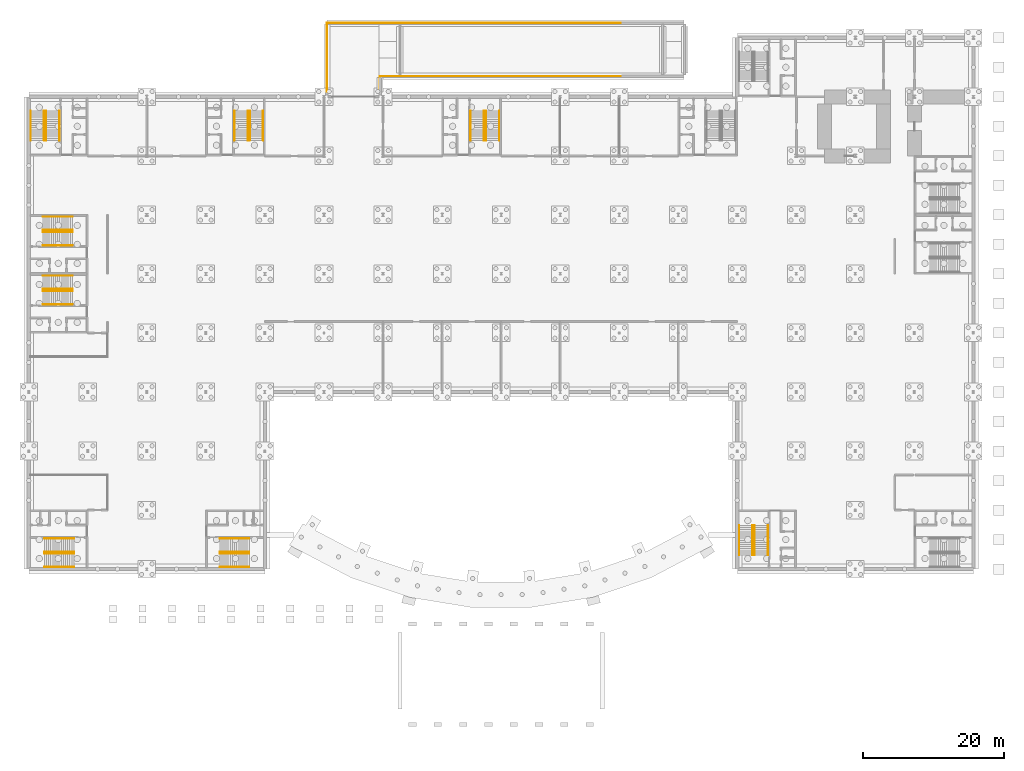
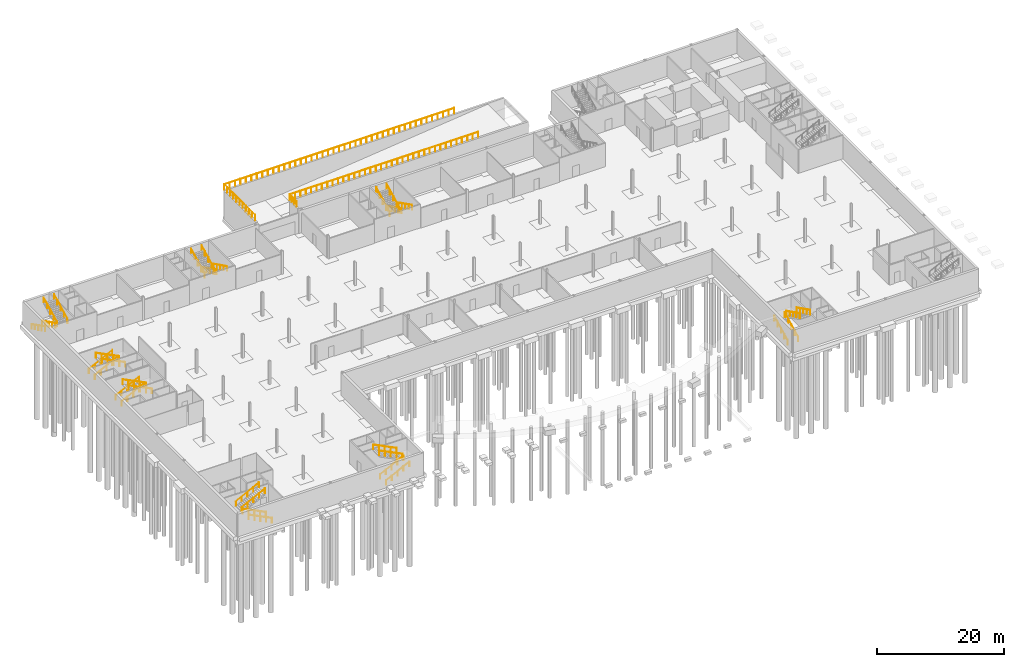
# One storey, part 34 of 35: 34 railings.
"""IFC4 building model written with IfcOpenShell, lengths in metres."""

from ifc_helpers import new_model, si_unit, direction, frame, origin, origin_2d, place, context, subcontext, project, spatial, circle, extrude, material, type_object, element, save


model = new_model("IFC4")

# Units and contexts
model_context = context("Model", 3, precision=1e-05, world=origin(), true_north=direction((0.0, 1.0)))
body_context = subcontext(model_context, "Body", "Model", "MODEL_VIEW")
ifc_project = project(units=[si_unit("LENGTHUNIT", "METRE"), si_unit("AREAUNIT", "SQUARE_METRE"), si_unit("VOLUMEUNIT", "CUBIC_METRE"), si_unit("PLANEANGLEUNIT", "RADIAN"), si_unit("MASSUNIT", "GRAM", prefix="KILO")], contexts=[model_context])

# Site, building, storey
site_placement = place(None, origin())
site = spatial("IfcSite", under=ifc_project, at=site_placement, CompositionType="ELEMENT")
building_placement = place(site_placement, origin())
building = spatial("IfcBuilding", under=site, at=building_placement, Name="Ardhachandra Cancer Care Centre", CompositionType="ELEMENT")
storey_placement = place(building_placement, frame((0.0, 0.0, -4.5)))
storey = spatial("IfcBuildingStorey", under=building, at=storey_placement, Name="B1", CompositionType="ELEMENT", Elevation=-4.5)

# Railings
ifc_material_1 = material(Name="Steel E250 (IS 2062)", Category="steel")
railing_type_1 = type_object("IfcRailingType", Name="Guard 1100", PredefinedType="GUARDRAIL", material=ifc_material_1)
railing_1_placement = place(storey_placement, frame((95.0, 99.52490234375, 4.5)))
element("IfcRailing", 1, at=railing_1_placement, inside=storey, type_object=railing_type_1, Name="Ramp guard south", PredefinedType="GUARDRAIL", context=body_context, shape_type="SweptSolid", body=[
    extrude(circle(Radius=0.02392578125, at=origin_2d()), frame((0.0, 0.0, 1.076171875), z_axis=(-1.0, 0.0, 0.0), x_axis=(0.0, -1.0, 0.0)), (0.0, 0.0, 1.0), 34.22509765625),
    extrude(circle(Radius=0.02392578125, at=origin_2d()), frame((-34.22509765625, 0.0, 1.076171875), z_axis=(0.0, -1.0, 0.0), x_axis=(1.0, 0.0, 0.0)), (0.0, 0.0, 1.0), 2.204833984375),
    extrude(circle(Radius=0.02099609375, at=origin_2d()), origin(), (0.0, 0.0, 1.0), 1.052001953125),
    extrude(circle(Radius=0.02099609375, at=origin_2d()), frame((-0.977783203125, 0.0, 0.0)), (0.0, 0.0, 1.0), 1.052001953125),
    extrude(circle(Radius=0.02099609375, at=origin_2d()), frame((-1.955810546875, 0.0, 0.0)), (0.0, 0.0, 1.0), 1.052001953125),
    extrude(circle(Radius=0.02099609375, at=origin_2d()), frame((-2.93359375, 0.0, 0.0)), (0.0, 0.0, 1.0), 1.052001953125),
    extrude(circle(Radius=0.02099609375, at=origin_2d()), frame((-3.911376953125, 0.0, 0.0)), (0.0, 0.0, 1.0), 1.052001953125),
    extrude(circle(Radius=0.02099609375, at=origin_2d()), frame((-4.889404296875, 0.0, 0.0)), (0.0, 0.0, 1.0), 1.052001953125),
    extrude(circle(Radius=0.02099609375, at=origin_2d()), frame((-5.8671875, 0.0, 0.0)), (0.0, 0.0, 1.0), 1.052001953125),
    extrude(circle(Radius=0.02099609375, at=origin_2d()), frame((-6.844970703125, 0.0, 0.0)), (0.0, 0.0, 1.0), 1.052001953125),
    extrude(circle(Radius=0.02099609375, at=origin_2d()), frame((-7.822998046875, 0.0, 0.0)), (0.0, 0.0, 1.0), 1.052001953125),
    extrude(circle(Radius=0.02099609375, at=origin_2d()), frame((-8.80078125, 0.0, 0.0)), (0.0, 0.0, 1.0), 1.052001953125),
    extrude(circle(Radius=0.02099609375, at=origin_2d()), frame((-9.778564453125, 0.0, 0.0)), (0.0, 0.0, 1.0), 1.052001953125),
    extrude(circle(Radius=0.02099609375, at=origin_2d()), frame((-10.75634765625, 0.0, 0.0)), (0.0, 0.0, 1.0), 1.052001953125),
    extrude(circle(Radius=0.02099609375, at=origin_2d()), frame((-11.734375, 0.0, 0.0)), (0.0, 0.0, 1.0), 1.052001953125),
    extrude(circle(Radius=0.02099609375, at=origin_2d()), frame((-12.712158203125, 0.0, 0.0)), (0.0, 0.0, 1.0), 1.052001953125),
    extrude(circle(Radius=0.02099609375, at=origin_2d()), frame((-13.68994140625, 0.0, 0.0)), (0.0, 0.0, 1.0), 1.052001953125),
    extrude(circle(Radius=0.02099609375, at=origin_2d()), frame((-14.66796875, 0.0, 0.0)), (0.0, 0.0, 1.0), 1.052001953125),
    extrude(circle(Radius=0.02099609375, at=origin_2d()), frame((-15.645751953125, 0.0, 0.0)), (0.0, 0.0, 1.0), 1.052001953125),
    extrude(circle(Radius=0.02099609375, at=origin_2d()), frame((-16.62353515625, 0.0, 0.0)), (0.0, 0.0, 1.0), 1.052001953125),
    extrude(circle(Radius=0.02099609375, at=origin_2d()), frame((-17.6015625, 0.0, 0.0)), (0.0, 0.0, 1.0), 1.052001953125),
    extrude(circle(Radius=0.02099609375, at=origin_2d()), frame((-18.579345703125, 0.0, 0.0)), (0.0, 0.0, 1.0), 1.052001953125),
    extrude(circle(Radius=0.02099609375, at=origin_2d()), frame((-19.55712890625, 0.0, 0.0)), (0.0, 0.0, 1.0), 1.052001953125),
    extrude(circle(Radius=0.02099609375, at=origin_2d()), frame((-20.53515625, 0.0, 0.0)), (0.0, 0.0, 1.0), 1.052001953125),
    extrude(circle(Radius=0.02099609375, at=origin_2d()), frame((-21.512939453125, 0.0, 0.0)), (0.0, 0.0, 1.0), 1.052001953125),
    extrude(circle(Radius=0.02099609375, at=origin_2d()), frame((-22.49072265625, 0.0, 0.0)), (0.0, 0.0, 1.0), 1.052001953125),
    extrude(circle(Radius=0.02099609375, at=origin_2d()), frame((-23.46875, 0.0, 0.0)), (0.0, 0.0, 1.0), 1.052001953125),
    extrude(circle(Radius=0.02099609375, at=origin_2d()), frame((-24.446533203125, 0.0, 0.0)), (0.0, 0.0, 1.0), 1.052001953125),
    extrude(circle(Radius=0.02099609375, at=origin_2d()), frame((-25.42431640625, 0.0, 0.0)), (0.0, 0.0, 1.0), 1.052001953125),
    extrude(circle(Radius=0.02099609375, at=origin_2d()), frame((-26.402099609375, 0.0, 0.0)), (0.0, 0.0, 1.0), 1.052001953125),
    extrude(circle(Radius=0.02099609375, at=origin_2d()), frame((-27.380126953125, 0.0, 0.0)), (0.0, 0.0, 1.0), 1.052001953125),
    extrude(circle(Radius=0.02099609375, at=origin_2d()), frame((-28.35791015625, 0.0, 0.0)), (0.0, 0.0, 1.0), 1.052001953125),
    extrude(circle(Radius=0.02099609375, at=origin_2d()), frame((-29.335693359375, 0.0, 0.0)), (0.0, 0.0, 1.0), 1.052001953125),
    extrude(circle(Radius=0.02099609375, at=origin_2d()), frame((-30.313720703125, 0.0, 0.0)), (0.0, 0.0, 1.0), 1.052001953125),
    extrude(circle(Radius=0.02099609375, at=origin_2d()), frame((-31.29150390625, 0.0, 0.0)), (0.0, 0.0, 1.0), 1.052001953125),
    extrude(circle(Radius=0.02099609375, at=origin_2d()), frame((-32.269287109375, 0.0, 0.0)), (0.0, 0.0, 1.0), 1.052001953125),
    extrude(circle(Radius=0.02099609375, at=origin_2d()), frame((-33.247314453125, 0.0, 0.0)), (0.0, 0.0, 1.0), 1.052001953125),
    extrude(circle(Radius=0.02099609375, at=origin_2d()), frame((-34.22509765625, 0.0, 0.0)), (0.0, 0.0, 1.0), 1.052001953125),
    extrude(circle(Radius=0.02099609375, at=origin_2d()), frame((-34.22509765625, -0.73486328125, 0.0)), (0.0, 0.0, 1.0), 1.052001953125),
    extrude(circle(Radius=0.02099609375, at=origin_2d()), frame((-34.22509765625, -1.469970703125, 0.0)), (0.0, 0.0, 1.0), 1.052001953125),
    extrude(circle(Radius=0.02099609375, at=origin_2d()), frame((-34.22509765625, -2.204833984375, 0.0)), (0.0, 0.0, 1.0), 1.052001953125),
])
railing_2_placement = place(storey_placement, frame((95.0, 107.074951171875, 4.5)))
element("IfcRailing", 2, at=railing_2_placement, inside=storey, type_object=railing_type_1, Name="Ramp guard north", PredefinedType="GUARDRAIL", context=body_context, shape_type="SweptSolid", body=[
    extrude(circle(Radius=0.02392578125, at=origin_2d()), frame((0.0, 0.0, 1.076171875), z_axis=(-1.0, 0.0, 0.0), x_axis=(0.0, -1.0, 0.0)), (0.0, 0.0, 1.0), 41.77490234375),
    extrude(circle(Radius=0.02392578125, at=origin_2d()), frame((-41.77490234375, 0.0, 1.076171875), z_axis=(0.0, -1.0, 0.0), x_axis=(1.0, 0.0, 0.0)), (0.0, 0.0, 1.0), 9.7548828125),
    extrude(circle(Radius=0.02099609375, at=origin_2d()), origin(), (0.0, 0.0, 1.0), 1.052001953125),
    extrude(circle(Radius=0.02099609375, at=origin_2d()), frame((-0.99462890625, 0.0, 0.0)), (0.0, 0.0, 1.0), 1.052001953125),
    extrude(circle(Radius=0.02099609375, at=origin_2d()), frame((-1.9892578125, 0.0, 0.0)), (0.0, 0.0, 1.0), 1.052001953125),
    extrude(circle(Radius=0.02099609375, at=origin_2d()), frame((-2.98388671875, 0.0, 0.0)), (0.0, 0.0, 1.0), 1.052001953125),
    extrude(circle(Radius=0.02099609375, at=origin_2d()), frame((-3.978515625, 0.0, 0.0)), (0.0, 0.0, 1.0), 1.052001953125),
    extrude(circle(Radius=0.02099609375, at=origin_2d()), frame((-4.97314453125, 0.0, 0.0)), (0.0, 0.0, 1.0), 1.052001953125),
    extrude(circle(Radius=0.02099609375, at=origin_2d()), frame((-5.9677734375, 0.0, 0.0)), (0.0, 0.0, 1.0), 1.052001953125),
    extrude(circle(Radius=0.02099609375, at=origin_2d()), frame((-6.96240234375, 0.0, 0.0)), (0.0, 0.0, 1.0), 1.052001953125),
    extrude(circle(Radius=0.02099609375, at=origin_2d()), frame((-7.95703125, 0.0, 0.0)), (0.0, 0.0, 1.0), 1.052001953125),
    extrude(circle(Radius=0.02099609375, at=origin_2d()), frame((-8.95166015625, 0.0, 0.0)), (0.0, 0.0, 1.0), 1.052001953125),
    extrude(circle(Radius=0.02099609375, at=origin_2d()), frame((-9.9462890625, 0.0, 0.0)), (0.0, 0.0, 1.0), 1.052001953125),
    extrude(circle(Radius=0.02099609375, at=origin_2d()), frame((-10.941162109375, 0.0, 0.0)), (0.0, 0.0, 1.0), 1.052001953125),
    extrude(circle(Radius=0.02099609375, at=origin_2d()), frame((-11.935791015625, 0.0, 0.0)), (0.0, 0.0, 1.0), 1.052001953125),
    extrude(circle(Radius=0.02099609375, at=origin_2d()), frame((-12.930419921875, 0.0, 0.0)), (0.0, 0.0, 1.0), 1.052001953125),
    extrude(circle(Radius=0.02099609375, at=origin_2d()), frame((-13.925048828125, 0.0, 0.0)), (0.0, 0.0, 1.0), 1.052001953125),
    extrude(circle(Radius=0.02099609375, at=origin_2d()), frame((-14.919677734375, 0.0, 0.0)), (0.0, 0.0, 1.0), 1.052001953125),
    extrude(circle(Radius=0.02099609375, at=origin_2d()), frame((-15.914306640625, 0.0, 0.0)), (0.0, 0.0, 1.0), 1.052001953125),
    extrude(circle(Radius=0.02099609375, at=origin_2d()), frame((-16.908935546875, 0.0, 0.0)), (0.0, 0.0, 1.0), 1.052001953125),
    extrude(circle(Radius=0.02099609375, at=origin_2d()), frame((-17.903564453125, 0.0, 0.0)), (0.0, 0.0, 1.0), 1.052001953125),
    extrude(circle(Radius=0.02099609375, at=origin_2d()), frame((-18.898193359375, 0.0, 0.0)), (0.0, 0.0, 1.0), 1.052001953125),
    extrude(circle(Radius=0.02099609375, at=origin_2d()), frame((-19.892822265625, 0.0, 0.0)), (0.0, 0.0, 1.0), 1.052001953125),
    extrude(circle(Radius=0.02099609375, at=origin_2d()), frame((-20.887451171875, 0.0, 0.0)), (0.0, 0.0, 1.0), 1.052001953125),
    extrude(circle(Radius=0.02099609375, at=origin_2d()), frame((-21.882080078125, 0.0, 0.0)), (0.0, 0.0, 1.0), 1.052001953125),
    extrude(circle(Radius=0.02099609375, at=origin_2d()), frame((-22.876708984375, 0.0, 0.0)), (0.0, 0.0, 1.0), 1.052001953125),
    extrude(circle(Radius=0.02099609375, at=origin_2d()), frame((-23.871337890625, 0.0, 0.0)), (0.0, 0.0, 1.0), 1.052001953125),
    extrude(circle(Radius=0.02099609375, at=origin_2d()), frame((-24.865966796875, 0.0, 0.0)), (0.0, 0.0, 1.0), 1.052001953125),
    extrude(circle(Radius=0.02099609375, at=origin_2d()), frame((-25.860595703125, 0.0, 0.0)), (0.0, 0.0, 1.0), 1.052001953125),
    extrude(circle(Radius=0.02099609375, at=origin_2d()), frame((-26.855224609375, 0.0, 0.0)), (0.0, 0.0, 1.0), 1.052001953125),
    extrude(circle(Radius=0.02099609375, at=origin_2d()), frame((-27.849853515625, 0.0, 0.0)), (0.0, 0.0, 1.0), 1.052001953125),
    extrude(circle(Radius=0.02099609375, at=origin_2d()), frame((-28.844482421875, 0.0, 0.0)), (0.0, 0.0, 1.0), 1.052001953125),
    extrude(circle(Radius=0.02099609375, at=origin_2d()), frame((-29.839111328125, 0.0, 0.0)), (0.0, 0.0, 1.0), 1.052001953125),
    extrude(circle(Radius=0.02099609375, at=origin_2d()), frame((-30.833740234375, 0.0, 0.0)), (0.0, 0.0, 1.0), 1.052001953125),
    extrude(circle(Radius=0.02099609375, at=origin_2d()), frame((-31.82861328125, 0.0, 0.0)), (0.0, 0.0, 1.0), 1.052001953125),
    extrude(circle(Radius=0.02099609375, at=origin_2d()), frame((-32.8232421875, 0.0, 0.0)), (0.0, 0.0, 1.0), 1.052001953125),
    extrude(circle(Radius=0.02099609375, at=origin_2d()), frame((-33.81787109375, 0.0, 0.0)), (0.0, 0.0, 1.0), 1.052001953125),
    extrude(circle(Radius=0.02099609375, at=origin_2d()), frame((-34.8125, 0.0, 0.0)), (0.0, 0.0, 1.0), 1.052001953125),
    extrude(circle(Radius=0.02099609375, at=origin_2d()), frame((-35.80712890625, 0.0, 0.0)), (0.0, 0.0, 1.0), 1.052001953125),
    extrude(circle(Radius=0.02099609375, at=origin_2d()), frame((-36.8017578125, 0.0, 0.0)), (0.0, 0.0, 1.0), 1.052001953125),
    extrude(circle(Radius=0.02099609375, at=origin_2d()), frame((-37.79638671875, 0.0, 0.0)), (0.0, 0.0, 1.0), 1.052001953125),
    extrude(circle(Radius=0.02099609375, at=origin_2d()), frame((-38.791015625, 0.0, 0.0)), (0.0, 0.0, 1.0), 1.052001953125),
    extrude(circle(Radius=0.02099609375, at=origin_2d()), frame((-39.78564453125, 0.0, 0.0)), (0.0, 0.0, 1.0), 1.052001953125),
    extrude(circle(Radius=0.02099609375, at=origin_2d()), frame((-40.7802734375, 0.0, 0.0)), (0.0, 0.0, 1.0), 1.052001953125),
    extrude(circle(Radius=0.02099609375, at=origin_2d()), frame((-41.77490234375, 0.0, 0.0)), (0.0, 0.0, 1.0), 1.052001953125),
    extrude(circle(Radius=0.02099609375, at=origin_2d()), frame((-41.77490234375, -0.9755859375, 0.0)), (0.0, 0.0, 1.0), 1.052001953125),
    extrude(circle(Radius=0.02099609375, at=origin_2d()), frame((-41.77490234375, -1.950927734375, 0.0)), (0.0, 0.0, 1.0), 1.052001953125),
    extrude(circle(Radius=0.02099609375, at=origin_2d()), frame((-41.77490234375, -2.926513671875, 0.0)), (0.0, 0.0, 1.0), 1.052001953125),
    extrude(circle(Radius=0.02099609375, at=origin_2d()), frame((-41.77490234375, -3.90185546875, 0.0)), (0.0, 0.0, 1.0), 1.052001953125),
    extrude(circle(Radius=0.02099609375, at=origin_2d()), frame((-41.77490234375, -4.87744140625, 0.0)), (0.0, 0.0, 1.0), 1.052001953125),
    extrude(circle(Radius=0.02099609375, at=origin_2d()), frame((-41.77490234375, -5.85302734375, 0.0)), (0.0, 0.0, 1.0), 1.052001953125),
    extrude(circle(Radius=0.02099609375, at=origin_2d()), frame((-41.77490234375, -6.828369140625, 0.0)), (0.0, 0.0, 1.0), 1.052001953125),
    extrude(circle(Radius=0.02099609375, at=origin_2d()), frame((-41.77490234375, -7.803955078125, 0.0)), (0.0, 0.0, 1.0), 1.052001953125),
    extrude(circle(Radius=0.02099609375, at=origin_2d()), frame((-41.77490234375, -8.779296875, 0.0)), (0.0, 0.0, 1.0), 1.052001953125),
    extrude(circle(Radius=0.02099609375, at=origin_2d()), frame((-41.77490234375, -9.7548828125, 0.0)), (0.0, 0.0, 1.0), 1.052001953125),
])
ifc_material_2 = material(Name="Steel E250 (IS 2062)", Category="steel")
railing_type_2 = type_object("IfcRailingType", Name="Stair handrail 900", PredefinedType="HANDRAIL", material=ifc_material_2)
for number, where, name in (
    (3, (17.22509765625, 29.68505859375, 0.14990234375), "Handrail K1 B1-L00 flight 1 wall side"),
    (4, (17.22509765625, 31.574951171875, 0.14990234375), "Handrail K1 B1-L00 flight 1 well side"),
):
    element("IfcRailing", number, at=place(storey_placement, frame(where)), inside=storey, type_object=railing_type_2, Name=name, PredefinedType="HANDRAIL", context=body_context, shape_type="SweptSolid", body=[
        extrude(circle(Radius=0.02392578125, at=origin_2d()), frame((0.0, 0.0, 0.8759765625), z_axis=(-0.894427191, 0.0, 0.4472135955), x_axis=(0.0, -1.0, 0.0)), (0.0, 0.0, 1.0), 4.696044921875),
        extrude(circle(Radius=0.02099609375, at=origin_2d()), origin(), (0.0, 0.0, 1.0), 0.851806640625),
        extrude(circle(Radius=0.02099609375, at=origin_2d()), frame((-1.050048828125, 0.0, 0.52490234375)), (0.0, 0.0, 1.0), 0.851806640625),
        extrude(circle(Radius=0.02099609375, at=origin_2d()), frame((-2.10009765625, 0.0, 1.050048828125)), (0.0, 0.0, 1.0), 0.851806640625),
        extrude(circle(Radius=0.02099609375, at=origin_2d()), frame((-3.150146484375, 0.0, 1.5751953125)), (0.0, 0.0, 1.0), 0.851806640625),
        extrude(circle(Radius=0.02099609375, at=origin_2d()), frame((-4.2001953125, 0.0, 2.10009765625)), (0.0, 0.0, 1.0), 0.851806640625),
    ])
for number, where, name in (
    (5, (13.02490234375, 31.875, 2.39990234375), "Handrail K1 B1-L00 flight 2 well side"),
    (6, (13.02490234375, 33.764892578125, 2.39990234375), "Handrail K1 B1-L00 flight 2 wall side"),
):
    element("IfcRailing", number, at=place(storey_placement, frame(where)), inside=storey, type_object=railing_type_2, Name=name, PredefinedType="HANDRAIL", context=body_context, shape_type="SweptSolid", body=[
        extrude(circle(Radius=0.02392578125, at=origin_2d()), frame((0.0, 0.0, 0.8759765625), z_axis=(0.894427191, 0.0, 0.4472135955), x_axis=(0.0, 1.0, 0.0)), (0.0, 0.0, 1.0), 4.696044921875),
        extrude(circle(Radius=0.02099609375, at=origin_2d()), origin(), (0.0, 0.0, 1.0), 0.851806640625),
        extrude(circle(Radius=0.02099609375, at=origin_2d()), frame((1.050048828125, 0.0, 0.52490234375)), (0.0, 0.0, 1.0), 0.851806640625),
        extrude(circle(Radius=0.02099609375, at=origin_2d()), frame((2.10009765625, 0.0, 1.050048828125)), (0.0, 0.0, 1.0), 0.851806640625),
        extrude(circle(Radius=0.02099609375, at=origin_2d()), frame((3.150146484375, 0.0, 1.5751953125)), (0.0, 0.0, 1.0), 0.851806640625),
        extrude(circle(Radius=0.02099609375, at=origin_2d()), frame((4.2001953125, 0.0, 2.10009765625)), (0.0, 0.0, 1.0), 0.851806640625),
    ])
for number, where, name in (
    (7, (37.97509765625, 29.68505859375, 0.14990234375), "Handrail K2 B1-L00 flight 1 wall side"),
    (8, (37.97509765625, 31.574951171875, 0.14990234375), "Handrail K2 B1-L00 flight 1 well side"),
):
    element("IfcRailing", number, at=place(storey_placement, frame(where)), inside=storey, type_object=railing_type_2, Name=name, PredefinedType="HANDRAIL", context=body_context, shape_type="SweptSolid", body=[
        extrude(circle(Radius=0.02392578125, at=origin_2d()), frame((0.0, 0.0, 0.8759765625), z_axis=(0.894416792377, 0.0, 0.447234392142), x_axis=(0.0, 1.0, 0.0)), (0.0, 0.0, 1.0), 4.69580078125),
        extrude(circle(Radius=0.02099609375, at=origin_2d()), origin(), (0.0, 0.0, 1.0), 0.851806640625),
        extrude(circle(Radius=0.02099609375, at=origin_2d()), frame((1.050048828125, 0.0, 0.52490234375)), (0.0, 0.0, 1.0), 0.851806640625),
        extrude(circle(Radius=0.02099609375, at=origin_2d()), frame((2.10009765625, 0.0, 1.050048828125)), (0.0, 0.0, 1.0), 0.851806640625),
        extrude(circle(Radius=0.02099609375, at=origin_2d()), frame((3.14990234375, 0.0, 1.5751953125)), (0.0, 0.0, 1.0), 0.851806640625),
        extrude(circle(Radius=0.02099609375, at=origin_2d()), frame((4.199951171875, 0.0, 2.10009765625)), (0.0, 0.0, 1.0), 0.851806640625),
    ])
for number, where, name in (
    (9, (42.175048828125, 31.875, 2.39990234375), "Handrail K2 B1-L00 flight 2 well side"),
    (10, (42.175048828125, 33.764892578125, 2.39990234375), "Handrail K2 B1-L00 flight 2 wall side"),
):
    element("IfcRailing", number, at=place(storey_placement, frame(where)), inside=storey, type_object=railing_type_2, Name=name, PredefinedType="HANDRAIL", context=body_context, shape_type="SweptSolid", body=[
        extrude(circle(Radius=0.02392578125, at=origin_2d()), frame((0.0, 0.0, 0.8759765625), z_axis=(-0.894416792377, 0.0, 0.447234392142), x_axis=(0.0, -1.0, 0.0)), (0.0, 0.0, 1.0), 4.69580078125),
        extrude(circle(Radius=0.02099609375, at=origin_2d()), origin(), (0.0, 0.0, 1.0), 0.851806640625),
        extrude(circle(Radius=0.02099609375, at=origin_2d()), frame((-1.050048828125, 0.0, 0.52490234375)), (0.0, 0.0, 1.0), 0.851806640625),
        extrude(circle(Radius=0.02099609375, at=origin_2d()), frame((-2.10009765625, 0.0, 1.050048828125)), (0.0, 0.0, 1.0), 0.851806640625),
        extrude(circle(Radius=0.02099609375, at=origin_2d()), frame((-3.14990234375, 0.0, 1.5751953125)), (0.0, 0.0, 1.0), 0.851806640625),
        extrude(circle(Radius=0.02099609375, at=origin_2d()), frame((-4.199951171875, 0.0, 2.10009765625)), (0.0, 0.0, 1.0), 0.851806640625),
    ])
for number, where, name in (
    (11, (12.800048828125, 71.139892578125, 0.14990234375), "Handrail K3 B1-L00 flight 1 wall side"),
    (12, (12.800048828125, 69.25, 0.14990234375), "Handrail K3 B1-L00 flight 1 well side"),
):
    element("IfcRailing", number, at=place(storey_placement, frame(where)), inside=storey, type_object=railing_type_2, Name=name, PredefinedType="HANDRAIL", context=body_context, shape_type="SweptSolid", body=[
        extrude(circle(Radius=0.02392578125, at=origin_2d()), frame((0.0, 0.0, 0.8759765625), z_axis=(0.894416792377, 0.0, 0.447234392142), x_axis=(0.0, 1.0, 0.0)), (0.0, 0.0, 1.0), 4.69580078125),
        extrude(circle(Radius=0.02099609375, at=origin_2d()), origin(), (0.0, 0.0, 1.0), 0.851806640625),
        extrude(circle(Radius=0.02099609375, at=origin_2d()), frame((1.050048828125, 0.0, 0.52490234375)), (0.0, 0.0, 1.0), 0.851806640625),
        extrude(circle(Radius=0.02099609375, at=origin_2d()), frame((2.10009765625, 0.0, 1.050048828125)), (0.0, 0.0, 1.0), 0.851806640625),
        extrude(circle(Radius=0.02099609375, at=origin_2d()), frame((3.14990234375, 0.0, 1.5751953125)), (0.0, 0.0, 1.0), 0.851806640625),
        extrude(circle(Radius=0.02099609375, at=origin_2d()), frame((4.199951171875, 0.0, 2.10009765625)), (0.0, 0.0, 1.0), 0.851806640625),
    ])
for number, where, name in (
    (13, (17.0, 68.949951171875, 2.39990234375), "Handrail K3 B1-L00 flight 2 well side"),
    (14, (17.0, 67.06005859375, 2.39990234375), "Handrail K3 B1-L00 flight 2 wall side"),
):
    element("IfcRailing", number, at=place(storey_placement, frame(where)), inside=storey, type_object=railing_type_2, Name=name, PredefinedType="HANDRAIL", context=body_context, shape_type="SweptSolid", body=[
        extrude(circle(Radius=0.02392578125, at=origin_2d()), frame((0.0, 0.0, 0.8759765625), z_axis=(-0.894416792377, 0.0, 0.447234392142), x_axis=(0.0, -1.0, 0.0)), (0.0, 0.0, 1.0), 4.69580078125),
        extrude(circle(Radius=0.02099609375, at=origin_2d()), origin(), (0.0, 0.0, 1.0), 0.851806640625),
        extrude(circle(Radius=0.02099609375, at=origin_2d()), frame((-1.050048828125, 0.0, 0.52490234375)), (0.0, 0.0, 1.0), 0.851806640625),
        extrude(circle(Radius=0.02099609375, at=origin_2d()), frame((-2.10009765625, 0.0, 1.050048828125)), (0.0, 0.0, 1.0), 0.851806640625),
        extrude(circle(Radius=0.02099609375, at=origin_2d()), frame((-3.14990234375, 0.0, 1.5751953125)), (0.0, 0.0, 1.0), 0.851806640625),
        extrude(circle(Radius=0.02099609375, at=origin_2d()), frame((-4.199951171875, 0.0, 2.10009765625)), (0.0, 0.0, 1.0), 0.851806640625),
    ])
for number, where, name in (
    (15, (11.0849609375, 94.60009765625, 0.14990234375), "Handrail K4 B1-L00 flight 1 wall side"),
    (16, (12.97509765625, 94.60009765625, 0.14990234375), "Handrail K4 B1-L00 flight 1 well side"),
):
    element("IfcRailing", number, at=place(storey_placement, frame(where)), inside=storey, type_object=railing_type_2, Name=name, PredefinedType="HANDRAIL", context=body_context, shape_type="SweptSolid", body=[
        extrude(circle(Radius=0.02392578125, at=origin_2d()), frame((0.0, 0.0, 0.8759765625), z_axis=(0.0, -0.894427191, 0.4472135955), x_axis=(1.0, 0.0, 0.0)), (0.0, 0.0, 1.0), 4.696044921875),
        extrude(circle(Radius=0.02099609375, at=origin_2d()), origin(), (0.0, 0.0, 1.0), 0.851806640625),
        extrude(circle(Radius=0.02099609375, at=origin_2d()), frame((0.0, -1.050048828125, 0.52490234375)), (0.0, 0.0, 1.0), 0.851806640625),
        extrude(circle(Radius=0.02099609375, at=origin_2d()), frame((0.0, -2.10009765625, 1.050048828125)), (0.0, 0.0, 1.0), 0.851806640625),
        extrude(circle(Radius=0.02099609375, at=origin_2d()), frame((0.0, -3.150146484375, 1.5751953125)), (0.0, 0.0, 1.0), 0.851806640625),
        extrude(circle(Radius=0.02099609375, at=origin_2d()), frame((0.0, -4.2001953125, 2.10009765625)), (0.0, 0.0, 1.0), 0.851806640625),
    ])
for number, where, name in (
    (17, (13.27490234375, 90.39990234375, 2.39990234375), "Handrail K4 B1-L00 flight 2 well side"),
    (18, (15.1650390625, 90.39990234375, 2.39990234375), "Handrail K4 B1-L00 flight 2 wall side"),
):
    element("IfcRailing", number, at=place(storey_placement, frame(where)), inside=storey, type_object=railing_type_2, Name=name, PredefinedType="HANDRAIL", context=body_context, shape_type="SweptSolid", body=[
        extrude(circle(Radius=0.02392578125, at=origin_2d()), frame((0.0, 0.0, 0.8759765625), z_axis=(0.0, 0.894427191, 0.4472135955), x_axis=(-1.0, 0.0, 0.0)), (0.0, 0.0, 1.0), 4.696044921875),
        extrude(circle(Radius=0.02099609375, at=origin_2d()), origin(), (0.0, 0.0, 1.0), 0.851806640625),
        extrude(circle(Radius=0.02099609375, at=origin_2d()), frame((0.0, 1.050048828125, 0.52490234375)), (0.0, 0.0, 1.0), 0.851806640625),
        extrude(circle(Radius=0.02099609375, at=origin_2d()), frame((0.0, 2.10009765625, 1.050048828125)), (0.0, 0.0, 1.0), 0.851806640625),
        extrude(circle(Radius=0.02099609375, at=origin_2d()), frame((0.0, 3.150146484375, 1.5751953125)), (0.0, 0.0, 1.0), 0.851806640625),
        extrude(circle(Radius=0.02099609375, at=origin_2d()), frame((0.0, 4.2001953125, 2.10009765625)), (0.0, 0.0, 1.0), 0.851806640625),
    ])
for number, where, name in (
    (19, (44.139892578125, 94.60009765625, 0.14990234375), "Handrail K5 B1-L00 flight 1 wall side"),
    (20, (42.25, 94.60009765625, 0.14990234375), "Handrail K5 B1-L00 flight 1 well side"),
):
    element("IfcRailing", number, at=place(storey_placement, frame(where)), inside=storey, type_object=railing_type_2, Name=name, PredefinedType="HANDRAIL", context=body_context, shape_type="SweptSolid", body=[
        extrude(circle(Radius=0.02392578125, at=origin_2d()), frame((0.0, 0.0, 0.8759765625), z_axis=(0.0, -0.894427191, 0.4472135955), x_axis=(1.0, 0.0, 0.0)), (0.0, 0.0, 1.0), 4.696044921875),
        extrude(circle(Radius=0.02099609375, at=origin_2d()), origin(), (0.0, 0.0, 1.0), 0.851806640625),
        extrude(circle(Radius=0.02099609375, at=origin_2d()), frame((0.0, -1.050048828125, 0.52490234375)), (0.0, 0.0, 1.0), 0.851806640625),
        extrude(circle(Radius=0.02099609375, at=origin_2d()), frame((0.0, -2.10009765625, 1.050048828125)), (0.0, 0.0, 1.0), 0.851806640625),
        extrude(circle(Radius=0.02099609375, at=origin_2d()), frame((0.0, -3.150146484375, 1.5751953125)), (0.0, 0.0, 1.0), 0.851806640625),
        extrude(circle(Radius=0.02099609375, at=origin_2d()), frame((0.0, -4.2001953125, 2.10009765625)), (0.0, 0.0, 1.0), 0.851806640625),
    ])
for number, where, name in (
    (21, (41.949951171875, 90.39990234375, 2.39990234375), "Handrail K5 B1-L00 flight 2 well side"),
    (22, (40.06005859375, 90.39990234375, 2.39990234375), "Handrail K5 B1-L00 flight 2 wall side"),
):
    element("IfcRailing", number, at=place(storey_placement, frame(where)), inside=storey, type_object=railing_type_2, Name=name, PredefinedType="HANDRAIL", context=body_context, shape_type="SweptSolid", body=[
        extrude(circle(Radius=0.02392578125, at=origin_2d()), frame((0.0, 0.0, 0.8759765625), z_axis=(0.0, 0.894427191, 0.4472135955), x_axis=(-1.0, 0.0, 0.0)), (0.0, 0.0, 1.0), 4.696044921875),
        extrude(circle(Radius=0.02099609375, at=origin_2d()), origin(), (0.0, 0.0, 1.0), 0.851806640625),
        extrude(circle(Radius=0.02099609375, at=origin_2d()), frame((0.0, 1.050048828125, 0.52490234375)), (0.0, 0.0, 1.0), 0.851806640625),
        extrude(circle(Radius=0.02099609375, at=origin_2d()), frame((0.0, 2.10009765625, 1.050048828125)), (0.0, 0.0, 1.0), 0.851806640625),
        extrude(circle(Radius=0.02099609375, at=origin_2d()), frame((0.0, 3.150146484375, 1.5751953125)), (0.0, 0.0, 1.0), 0.851806640625),
        extrude(circle(Radius=0.02099609375, at=origin_2d()), frame((0.0, 4.2001953125, 2.10009765625)), (0.0, 0.0, 1.0), 0.851806640625),
    ])
for number, where, name in (
    (23, (12.800048828125, 79.5400390625, 0.14990234375), "Handrail K6 B1-L00 flight 1 wall side"),
    (24, (12.800048828125, 77.64990234375, 0.14990234375), "Handrail K6 B1-L00 flight 1 well side"),
):
    element("IfcRailing", number, at=place(storey_placement, frame(where)), inside=storey, type_object=railing_type_2, Name=name, PredefinedType="HANDRAIL", context=body_context, shape_type="SweptSolid", body=[
        extrude(circle(Radius=0.02392578125, at=origin_2d()), frame((0.0, 0.0, 0.8759765625), z_axis=(0.894416792377, 0.0, 0.447234392142), x_axis=(0.0, 1.0, 0.0)), (0.0, 0.0, 1.0), 4.69580078125),
        extrude(circle(Radius=0.02099609375, at=origin_2d()), origin(), (0.0, 0.0, 1.0), 0.851806640625),
        extrude(circle(Radius=0.02099609375, at=origin_2d()), frame((1.050048828125, 0.0, 0.52490234375)), (0.0, 0.0, 1.0), 0.851806640625),
        extrude(circle(Radius=0.02099609375, at=origin_2d()), frame((2.10009765625, 0.0, 1.050048828125)), (0.0, 0.0, 1.0), 0.851806640625),
        extrude(circle(Radius=0.02099609375, at=origin_2d()), frame((3.14990234375, 0.0, 1.5751953125)), (0.0, 0.0, 1.0), 0.851806640625),
        extrude(circle(Radius=0.02099609375, at=origin_2d()), frame((4.199951171875, 0.0, 2.10009765625)), (0.0, 0.0, 1.0), 0.851806640625),
    ])
for number, where, name in (
    (25, (17.0, 77.35009765625, 2.39990234375), "Handrail K6 B1-L00 flight 2 well side"),
    (26, (17.0, 75.4599609375, 2.39990234375), "Handrail K6 B1-L00 flight 2 wall side"),
):
    element("IfcRailing", number, at=place(storey_placement, frame(where)), inside=storey, type_object=railing_type_2, Name=name, PredefinedType="HANDRAIL", context=body_context, shape_type="SweptSolid", body=[
        extrude(circle(Radius=0.02392578125, at=origin_2d()), frame((0.0, 0.0, 0.8759765625), z_axis=(-0.894416792377, 0.0, 0.447234392142), x_axis=(0.0, -1.0, 0.0)), (0.0, 0.0, 1.0), 4.69580078125),
        extrude(circle(Radius=0.02099609375, at=origin_2d()), origin(), (0.0, 0.0, 1.0), 0.851806640625),
        extrude(circle(Radius=0.02099609375, at=origin_2d()), frame((-1.050048828125, 0.0, 0.52490234375)), (0.0, 0.0, 1.0), 0.851806640625),
        extrude(circle(Radius=0.02099609375, at=origin_2d()), frame((-2.10009765625, 0.0, 1.050048828125)), (0.0, 0.0, 1.0), 0.851806640625),
        extrude(circle(Radius=0.02099609375, at=origin_2d()), frame((-3.14990234375, 0.0, 1.5751953125)), (0.0, 0.0, 1.0), 0.851806640625),
        extrude(circle(Radius=0.02099609375, at=origin_2d()), frame((-4.199951171875, 0.0, 2.10009765625)), (0.0, 0.0, 1.0), 0.851806640625),
    ])
for number, where, name in (
    (27, (77.739990234375, 94.60009765625, 0.14990234375), "Handrail K8 B1-L00 flight 1 wall side"),
    (28, (75.85009765625, 94.60009765625, 0.14990234375), "Handrail K8 B1-L00 flight 1 well side"),
):
    element("IfcRailing", number, at=place(storey_placement, frame(where)), inside=storey, type_object=railing_type_2, Name=name, PredefinedType="HANDRAIL", context=body_context, shape_type="SweptSolid", body=[
        extrude(circle(Radius=0.02392578125, at=origin_2d()), frame((0.0, 0.0, 0.8759765625), z_axis=(0.0, -0.894427191, 0.4472135955), x_axis=(1.0, 0.0, 0.0)), (0.0, 0.0, 1.0), 4.696044921875),
        extrude(circle(Radius=0.02099609375, at=origin_2d()), origin(), (0.0, 0.0, 1.0), 0.851806640625),
        extrude(circle(Radius=0.02099609375, at=origin_2d()), frame((0.0, -1.050048828125, 0.52490234375)), (0.0, 0.0, 1.0), 0.851806640625),
        extrude(circle(Radius=0.02099609375, at=origin_2d()), frame((0.0, -2.10009765625, 1.050048828125)), (0.0, 0.0, 1.0), 0.851806640625),
        extrude(circle(Radius=0.02099609375, at=origin_2d()), frame((0.0, -3.150146484375, 1.5751953125)), (0.0, 0.0, 1.0), 0.851806640625),
        extrude(circle(Radius=0.02099609375, at=origin_2d()), frame((0.0, -4.2001953125, 2.10009765625)), (0.0, 0.0, 1.0), 0.851806640625),
    ])
for number, where, name in (
    (29, (75.550048828125, 90.39990234375, 2.39990234375), "Handrail K8 B1-L00 flight 2 well side"),
    (30, (73.659912109375, 90.39990234375, 2.39990234375), "Handrail K8 B1-L00 flight 2 wall side"),
    (31, (111.885009765625, 31.39990234375, 0.14990234375), "Handrail K11 B1-L00 flight 1 wall side"),
    (32, (113.77490234375, 31.39990234375, 0.14990234375), "Handrail K11 B1-L00 flight 1 well side"),
):
    element("IfcRailing", number, at=place(storey_placement, frame(where)), inside=storey, type_object=railing_type_2, Name=name, PredefinedType="HANDRAIL", context=body_context, shape_type="SweptSolid", body=[
        extrude(circle(Radius=0.02392578125, at=origin_2d()), frame((0.0, 0.0, 0.8759765625), z_axis=(0.0, 0.894427191, 0.4472135955), x_axis=(-1.0, 0.0, 0.0)), (0.0, 0.0, 1.0), 4.696044921875),
        extrude(circle(Radius=0.02099609375, at=origin_2d()), origin(), (0.0, 0.0, 1.0), 0.851806640625),
        extrude(circle(Radius=0.02099609375, at=origin_2d()), frame((0.0, 1.050048828125, 0.52490234375)), (0.0, 0.0, 1.0), 0.851806640625),
        extrude(circle(Radius=0.02099609375, at=origin_2d()), frame((0.0, 2.10009765625, 1.050048828125)), (0.0, 0.0, 1.0), 0.851806640625),
        extrude(circle(Radius=0.02099609375, at=origin_2d()), frame((0.0, 3.150146484375, 1.5751953125)), (0.0, 0.0, 1.0), 0.851806640625),
        extrude(circle(Radius=0.02099609375, at=origin_2d()), frame((0.0, 4.2001953125, 2.10009765625)), (0.0, 0.0, 1.0), 0.851806640625),
    ])
for number, where, name in (
    (33, (114.074951171875, 35.60009765625, 2.39990234375), "Handrail K11 B1-L00 flight 2 well side"),
    (34, (115.965087890625, 35.60009765625, 2.39990234375), "Handrail K11 B1-L00 flight 2 wall side"),
):
    element("IfcRailing", number, at=place(storey_placement, frame(where)), inside=storey, type_object=railing_type_2, Name=name, PredefinedType="HANDRAIL", context=body_context, shape_type="SweptSolid", body=[
        extrude(circle(Radius=0.02392578125, at=origin_2d()), frame((0.0, 0.0, 0.8759765625), z_axis=(0.0, -0.894427191, 0.4472135955), x_axis=(1.0, 0.0, 0.0)), (0.0, 0.0, 1.0), 4.696044921875),
        extrude(circle(Radius=0.02099609375, at=origin_2d()), origin(), (0.0, 0.0, 1.0), 0.851806640625),
        extrude(circle(Radius=0.02099609375, at=origin_2d()), frame((0.0, -1.050048828125, 0.52490234375)), (0.0, 0.0, 1.0), 0.851806640625),
        extrude(circle(Radius=0.02099609375, at=origin_2d()), frame((0.0, -2.10009765625, 1.050048828125)), (0.0, 0.0, 1.0), 0.851806640625),
        extrude(circle(Radius=0.02099609375, at=origin_2d()), frame((0.0, -3.150146484375, 1.5751953125)), (0.0, 0.0, 1.0), 0.851806640625),
        extrude(circle(Radius=0.02099609375, at=origin_2d()), frame((0.0, -4.2001953125, 2.10009765625)), (0.0, 0.0, 1.0), 0.851806640625),
    ])

save(model, "model.ifc")
